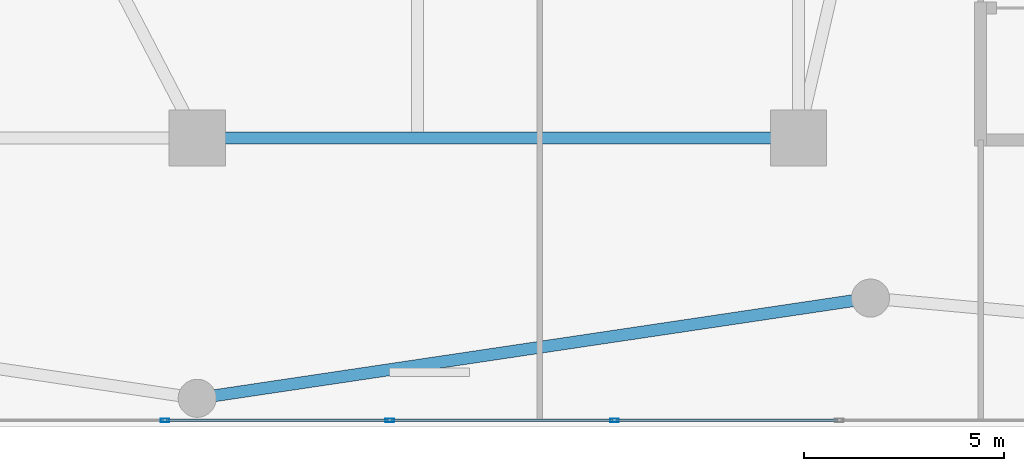
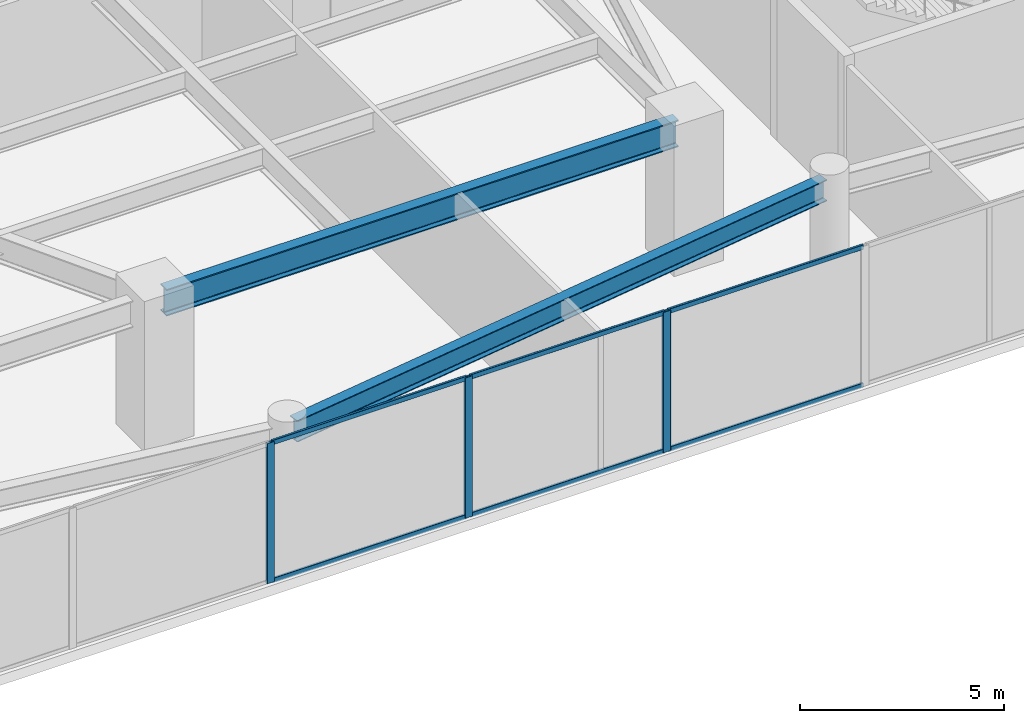
# One storey, part 5 of 29: 9 members, 2 beams, 1 element without a shape of its own.
"""IFC4 building model written with IfcOpenShell, lengths in metres."""

from ifc_helpers import new_model, si_unit, direction, frame, origin, origin_2d, place, context, subcontext, project, spatial, hollow_rectangle, i_section, extrude, material, layer, layer_set, material_profile, profile_set, type_object, element, aggregate, save


model = new_model("IFC4")

# Units and contexts
model_context = context("Model", 3, precision=1e-05, world=origin(), true_north=direction((0.0, 1.0)))
body_context = subcontext(model_context, "Body", "Model", "MODEL_VIEW")
ifc_project = project(units=[si_unit("LENGTHUNIT", "METRE"), si_unit("AREAUNIT", "SQUARE_METRE"), si_unit("VOLUMEUNIT", "CUBIC_METRE"), si_unit("PLANEANGLEUNIT", "RADIAN"), si_unit("MASSUNIT", "GRAM", prefix="KILO")], contexts=[model_context])

# Site, building, storey
site_placement = place(None, origin())
site = spatial("IfcSite", under=ifc_project, at=site_placement, CompositionType="ELEMENT")
building_placement = place(site_placement, origin())
building = spatial("IfcBuilding", under=site, at=building_placement, Name="Tarnavaz Court Tower", CompositionType="ELEMENT")
storey_placement = place(building_placement, frame((0.0, 0.0, 5.39990234375)))
storey = spatial("IfcBuildingStorey", under=building, at=storey_placement, Name="L01", CompositionType="ELEMENT", Elevation=5.39990234375)

# Beams
ifc_material_1 = material(Name="Steel S355", Category="steel")
ifc_material_profile_1 = material_profile(ifc_material_1, i_section(OverallWidth=0.300048828125, OverallDepth=0.800048828125, WebThickness=0.017578125, FlangeThickness=0.032958984375, FilletRadius=0.030029296875, at=origin_2d()), Name="HEB 800")
ifc_profile_set_1 = profile_set([ifc_material_profile_1], Name="Steel S355")
beam_type_1 = type_object("IfcBeamType", Name="BM-G-HEB800", PredefinedType="USERDEFINED", material=ifc_profile_set_1)
beam_1_placement = place(storey_placement, frame((0.25, -22.800048828125, 3.800048828125), z_axis=(1.0, 0.0, 0.0), x_axis=(0.0, 1.0, 0.0)))
element("IfcBeam", 1, at=beam_1_placement, inside=storey, type_object=beam_type_1, Name="L01 Beam PM-PM-S2-PM-S3", ObjectType="GIRDER", PredefinedType="USERDEFINED", context=body_context, shape_type="SweptSolid", body=[
    extrude(i_section(OverallWidth=0.300048828125, OverallDepth=0.800048828125, WebThickness=0.017578125, FlangeThickness=0.032958984375, FilletRadius=0.030029296875, at=origin_2d()), origin(), (0.0, 0.0, 1.0), 14.5),
])
ifc_material_profile_2 = material_profile(ifc_material_1, i_section(OverallWidth=0.300048828125, OverallDepth=0.639892578125, WebThickness=0.013427734375, FlangeThickness=0.02587890625, FilletRadius=0.027099609375, at=origin_2d()), Name="HEA 650")
ifc_profile_set_2 = profile_set([ifc_material_profile_2], Name="Steel S355")
beam_type_2 = type_object("IfcBeamType", Name="BM-SP-HEA650", PredefinedType="SPANDREL", material=ifc_profile_set_2)
beam_2_placement = place(storey_placement, frame((0.19775390625, -29.2705078125, 3.880126953125), z_axis=(0.989108332922, 0.147189353368, 0.0), x_axis=(-0.147189353368, 0.989108332922, 0.0)))
element("IfcBeam", 2, at=beam_2_placement, inside=storey, type_object=beam_type_2, Name="L01 Beam PR-POD-S2-POD-S3", PredefinedType="SPANDREL", context=body_context, shape_type="SweptSolid", body=[
    extrude(i_section(OverallWidth=0.300048828125, OverallDepth=0.639892578125, WebThickness=0.013427734375, FlangeThickness=0.02587890625, FilletRadius=0.027099609375, at=origin_2d()), origin(), (0.0, 0.0, 1.0), 16.585205078125),
])

# Curtain wall, members
ifc_material_2 = material(Name="Anodised Aluminium 6063-T6 and Solar Low-E Glazing", Category="aluminium")
ifc_layer = layer(ifc_material_2, 0.18994140625)
ifc_layer_set = layer_set([ifc_layer], Name="Anodised Aluminium 6063-T6 and Solar Low-E Glazing")
curtain_wall_type = type_object("IfcCurtainWallType", Name="CW-SYS-01", PredefinedType="NOTDEFINED", material=ifc_layer_set)
curtain_wall_placement = place(storey_placement, origin())
curtain_wall = element("IfcCurtainWall", 3, at=curtain_wall_placement, inside=storey, type_object=curtain_wall_type, Name="L01 Clinic South Curtain Wall 3", PredefinedType="NOTDEFINED")
ifc_material_3 = material(Name="Anodised Aluminium 6063-T6", Category="aluminium")
ifc_material_profile_3 = material_profile(ifc_material_3, hollow_rectangle(XDim=0.0849609375, YDim=0.219970703125, WallThickness=0.006103515625, InnerFilletRadius=0.006103515625, OuterFilletRadius=0.011962890625, at=origin_2d()), Name="ALU RHS 220X85X6")
ifc_profile_set_3 = profile_set([ifc_material_profile_3], Name="Anodised Aluminium 6063-T6")
member_type_1 = type_object("IfcMemberType", Name="CW-MUL-220", PredefinedType="MULLION", material=ifc_profile_set_3)
member_1_placement = place(storey_placement, frame((10.41357421875, -29.85009765625, 0.0), z_axis=(0.0, 0.0, 1.0), x_axis=(0.0, -1.0, 0.0)))
member_1 = element("IfcMember", 4, at=member_1_placement, type_object=member_type_1, Name="CW mullion 5", PredefinedType="MULLION", context=body_context, shape_type="SweptSolid", body=[
    extrude(hollow_rectangle(XDim=0.0849609375, YDim=0.219970703125, WallThickness=0.006103515625, InnerFilletRadius=0.006103515625, OuterFilletRadius=0.011962890625, at=origin_2d()), origin(), (0.0, 0.0, 1.0), 4.2001953125),
])
member_2_placement = place(storey_placement, frame((4.804443359375, -29.85009765625, 0.0), z_axis=(0.0, 0.0, 1.0), x_axis=(0.0, -1.0, 0.0)))
member_2 = element("IfcMember", 5, at=member_2_placement, type_object=member_type_1, Name="CW mullion 6", PredefinedType="MULLION", context=body_context, shape_type="SweptSolid", body=[
    extrude(hollow_rectangle(XDim=0.0849609375, YDim=0.219970703125, WallThickness=0.006103515625, InnerFilletRadius=0.006103515625, OuterFilletRadius=0.011962890625, at=origin_2d()), origin(), (0.0, 0.0, 1.0), 4.2001953125),
])
member_3_placement = place(storey_placement, frame((-0.804443359375, -29.85009765625, 0.0), z_axis=(0.0, 0.0, 1.0), x_axis=(0.0, -1.0, 0.0)))
member_3 = element("IfcMember", 6, at=member_3_placement, type_object=member_type_1, Name="CW mullion 7", PredefinedType="MULLION", context=body_context, shape_type="SweptSolid", body=[
    extrude(hollow_rectangle(XDim=0.0849609375, YDim=0.219970703125, WallThickness=0.006103515625, InnerFilletRadius=0.006103515625, OuterFilletRadius=0.011962890625, at=origin_2d()), origin(), (0.0, 0.0, 1.0), 4.2001953125),
])
ifc_material_profile_4 = material_profile(ifc_material_3, hollow_rectangle(XDim=0.06494140625, YDim=0.139892578125, WallThickness=0.00390625, InnerFilletRadius=0.00390625, OuterFilletRadius=0.008056640625, at=origin_2d()), Name="ALU RHS 140X65X4")
ifc_profile_set_4 = profile_set([ifc_material_profile_4], Name="Anodised Aluminium 6063-T6")
member_type_2 = type_object("IfcMemberType", Name="CW-TRN-140", PredefinedType="USERDEFINED", material=ifc_profile_set_4)
member_4_placement = place(storey_placement, frame((15.980224609375, -29.85009765625, 0.03271484375), z_axis=(-1.0, 0.0, 0.0), x_axis=(0.0, -1.0, 0.0)))
member_4 = element("IfcMember", 7, at=member_4_placement, type_object=member_type_2, Name="CW transom 4.1", ObjectType="TRANSOM", PredefinedType="USERDEFINED", context=body_context, shape_type="SweptSolid", body=[
    extrude(hollow_rectangle(XDim=0.06494140625, YDim=0.139892578125, WallThickness=0.00390625, InnerFilletRadius=0.00390625, OuterFilletRadius=0.008056640625, at=origin_2d()), origin(), (0.0, 0.0, 1.0), 5.524169921875),
])
member_5_placement = place(storey_placement, frame((15.980224609375, -29.85009765625, 4.16748046875), z_axis=(-1.0, 0.0, 0.0), x_axis=(0.0, -1.0, 0.0)))
member_5 = element("IfcMember", 8, at=member_5_placement, type_object=member_type_2, Name="CW transom 4.2", ObjectType="TRANSOM", PredefinedType="USERDEFINED", context=body_context, shape_type="SweptSolid", body=[
    extrude(hollow_rectangle(XDim=0.06494140625, YDim=0.139892578125, WallThickness=0.00390625, InnerFilletRadius=0.00390625, OuterFilletRadius=0.008056640625, at=origin_2d()), origin(), (0.0, 0.0, 1.0), 5.524169921875),
])
member_6_placement = place(storey_placement, frame((10.37109375, -29.85009765625, 0.03271484375), z_axis=(-1.0, 0.0, 0.0), x_axis=(0.0, -1.0, 0.0)))
member_6 = element("IfcMember", 9, at=member_6_placement, type_object=member_type_2, Name="CW transom 5.1", ObjectType="TRANSOM", PredefinedType="USERDEFINED", context=body_context, shape_type="SweptSolid", body=[
    extrude(hollow_rectangle(XDim=0.06494140625, YDim=0.139892578125, WallThickness=0.00390625, InnerFilletRadius=0.00390625, OuterFilletRadius=0.008056640625, at=origin_2d()), origin(), (0.0, 0.0, 1.0), 5.524169921875),
])
member_7_placement = place(storey_placement, frame((10.37109375, -29.85009765625, 4.16748046875), z_axis=(-1.0, 0.0, 0.0), x_axis=(0.0, -1.0, 0.0)))
member_7 = element("IfcMember", 10, at=member_7_placement, type_object=member_type_2, Name="CW transom 5.2", ObjectType="TRANSOM", PredefinedType="USERDEFINED", context=body_context, shape_type="SweptSolid", body=[
    extrude(hollow_rectangle(XDim=0.06494140625, YDim=0.139892578125, WallThickness=0.00390625, InnerFilletRadius=0.00390625, OuterFilletRadius=0.008056640625, at=origin_2d()), origin(), (0.0, 0.0, 1.0), 5.524169921875),
])
member_8_placement = place(storey_placement, frame((4.761962890625, -29.85009765625, 0.03271484375), z_axis=(-1.0, 0.0, 0.0), x_axis=(0.0, -1.0, 0.0)))
member_8 = element("IfcMember", 11, at=member_8_placement, type_object=member_type_2, Name="CW transom 6.1", ObjectType="TRANSOM", PredefinedType="USERDEFINED", context=body_context, shape_type="SweptSolid", body=[
    extrude(hollow_rectangle(XDim=0.06494140625, YDim=0.139892578125, WallThickness=0.00390625, InnerFilletRadius=0.00390625, OuterFilletRadius=0.008056640625, at=origin_2d()), origin(), (0.0, 0.0, 1.0), 5.52392578125),
])
member_9_placement = place(storey_placement, frame((4.761962890625, -29.85009765625, 4.16748046875), z_axis=(-1.0, 0.0, 0.0), x_axis=(0.0, -1.0, 0.0)))
member_9 = element("IfcMember", 12, at=member_9_placement, type_object=member_type_2, Name="CW transom 6.2", ObjectType="TRANSOM", PredefinedType="USERDEFINED", context=body_context, shape_type="SweptSolid", body=[
    extrude(hollow_rectangle(XDim=0.06494140625, YDim=0.139892578125, WallThickness=0.00390625, InnerFilletRadius=0.00390625, OuterFilletRadius=0.008056640625, at=origin_2d()), origin(), (0.0, 0.0, 1.0), 5.52392578125),
])
aggregate(curtain_wall, [member_1, member_2, member_3, member_4, member_5, member_6, member_7, member_8, member_9])

save(model, "model.ifc")
